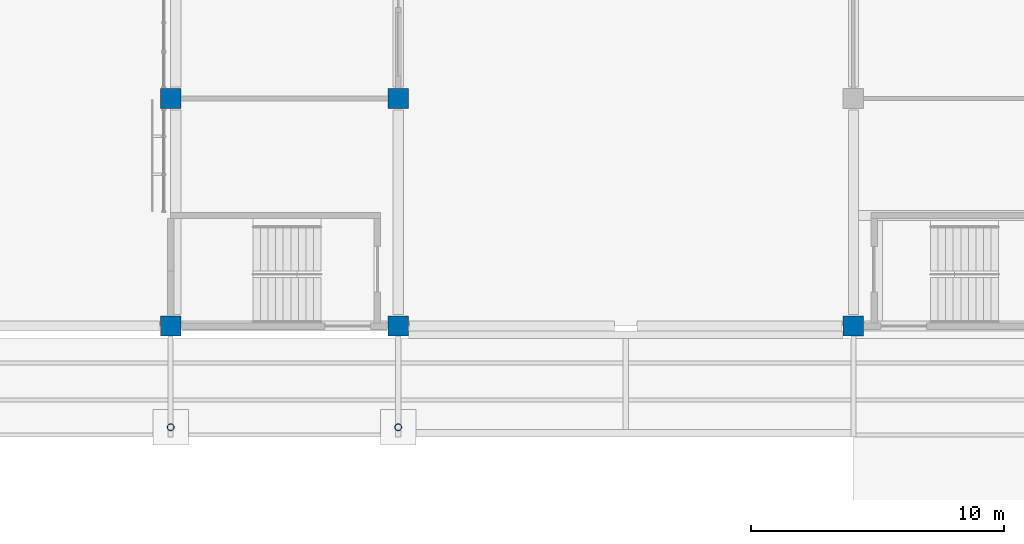
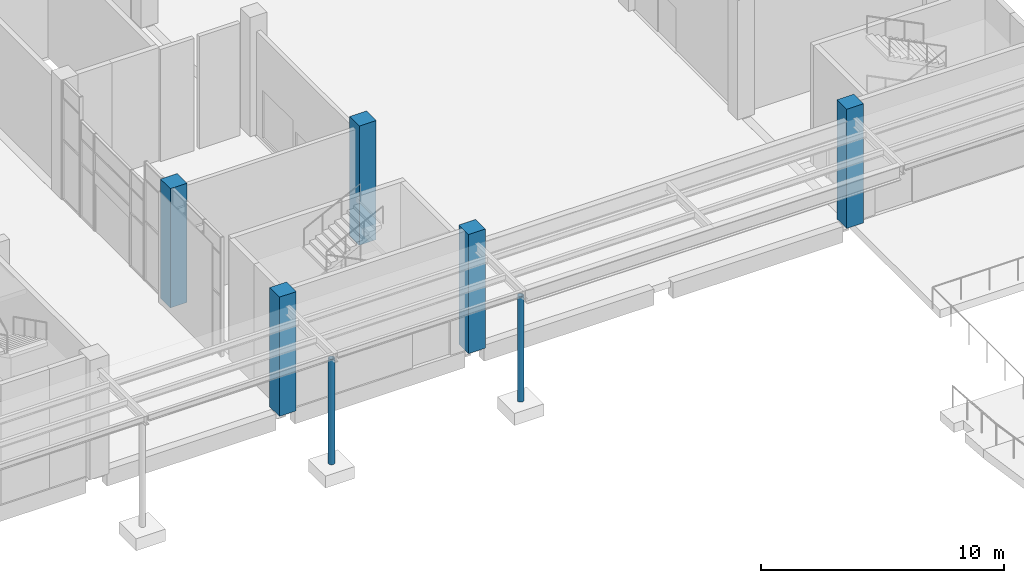
# One storey, part 5 of 86: 7 columns.
"""IFC4 building model written with IfcOpenShell, lengths in metres."""

from ifc_helpers import new_model, si_unit, direction, frame, origin, origin_2d, place, context, subcontext, project, spatial, rectangle, hollow_circle, extrude, material, material_profile, profile_set, type_object, element, save


model = new_model("IFC4")

# Units and contexts
model_context = context("Model", 3, precision=1e-05, world=origin(), true_north=direction((0.0, 1.0)))
body_context = subcontext(model_context, "Body", "Model", "MODEL_VIEW")
ifc_project = project(units=[si_unit("LENGTHUNIT", "METRE"), si_unit("AREAUNIT", "SQUARE_METRE"), si_unit("VOLUMEUNIT", "CUBIC_METRE"), si_unit("PLANEANGLEUNIT", "RADIAN"), si_unit("MASSUNIT", "GRAM", prefix="KILO")], contexts=[model_context])

# Site, building, storey
site_placement = place(None, origin())
site = spatial("IfcSite", under=ifc_project, at=site_placement, CompositionType="ELEMENT")
building_placement = place(site_placement, origin())
building = spatial("IfcBuilding", under=site, at=building_placement, Name="Guidao Yard Department Store", CompositionType="ELEMENT")
storey_placement = place(building_placement, origin())
storey = spatial("IfcBuildingStorey", under=building, at=storey_placement, Name="L00", CompositionType="ELEMENT", Elevation=0.0)

# Columns
ifc_material_1 = material(Name="Concrete C40", Category="concrete")
ifc_material_profile_1 = material_profile(ifc_material_1, rectangle(XDim=0.800048828125, YDim=0.800048828125, at=origin_2d()), Name="COL 800x800")
ifc_profile_set_1 = profile_set([ifc_material_profile_1], Name="Concrete C40")
column_type_1 = type_object("IfcColumnType", Name="Column 800x800 C40", PredefinedType="COLUMN", material=ifc_profile_set_1)
for number, where, z_axis, x_axis, name in (
    (1, (72.0, 45.0, 0.0), (0.0, 0.0, 1.0), (1.0, 0.0, 0.0), "Column 9/F L00"),
    (2, (81.0, 45.0, 0.0), (0.0, 0.0, 1.0), (1.0, 0.0, 0.0), "Column 10/F L00"),
    (3, (99.0, 45.0, 0.0), (0.0, 0.0, 1.0), (1.0, 0.0, 0.0), "Column 12/F L00"),
    (4, (72.0, 54.0, 0.0), (0.0, 0.0, 1.0), (1.0, 0.0, 0.0), "Column 9/G L00"),
    (5, (81.0, 54.0, 0.0), (0.0, 0.0, 1.0), (1.0, 0.0, 0.0), "Column 10/G L00"),
):
    element("IfcColumn", number, at=place(storey_placement, frame(where, z_axis=z_axis, x_axis=x_axis)), inside=storey, type_object=column_type_1, Name=name, PredefinedType="COLUMN", context=body_context, shape_type="SweptSolid", body=[
        extrude(rectangle(XDim=0.800048828125, YDim=0.800048828125, at=origin_2d()), origin(), (0.0, 0.0, 1.0), 6.0),
    ])
ifc_material_2 = material(Name="Steel Q355B", Category="steel")
ifc_material_profile_2 = material_profile(ifc_material_2, hollow_circle(Radius=0.136474609375, WallThickness=0.011962890625, at=origin_2d()), Name="CHS 273x12")
ifc_profile_set_2 = profile_set([ifc_material_profile_2], Name="Steel Q355B")
column_type_2 = type_object("IfcColumnType", Name="Walkway post CHS 273x12", PredefinedType="COLUMN", material=ifc_profile_set_2)
for number, where, z_axis, x_axis, name in (
    (6, (72.0, 41.0, -0.300048828125), (0.0, 0.0, 1.0), (1.0, 0.0, 0.0), "Canopy post EC-8"),
    (7, (81.0, 41.0, -0.300048828125), (0.0, 0.0, 1.0), (1.0, 0.0, 0.0), "Canopy post EC-9"),
):
    element("IfcColumn", number, at=place(storey_placement, frame(where, z_axis=z_axis, x_axis=x_axis)), inside=storey, type_object=column_type_2, Name=name, PredefinedType="COLUMN", context=body_context, shape_type="SweptSolid", body=[
        extrude(hollow_circle(Radius=0.136474609375, WallThickness=0.011962890625, at=origin_2d()), origin(), (0.0, 0.0, 1.0), 5.300048828125),
    ])

save(model, "model.ifc")
